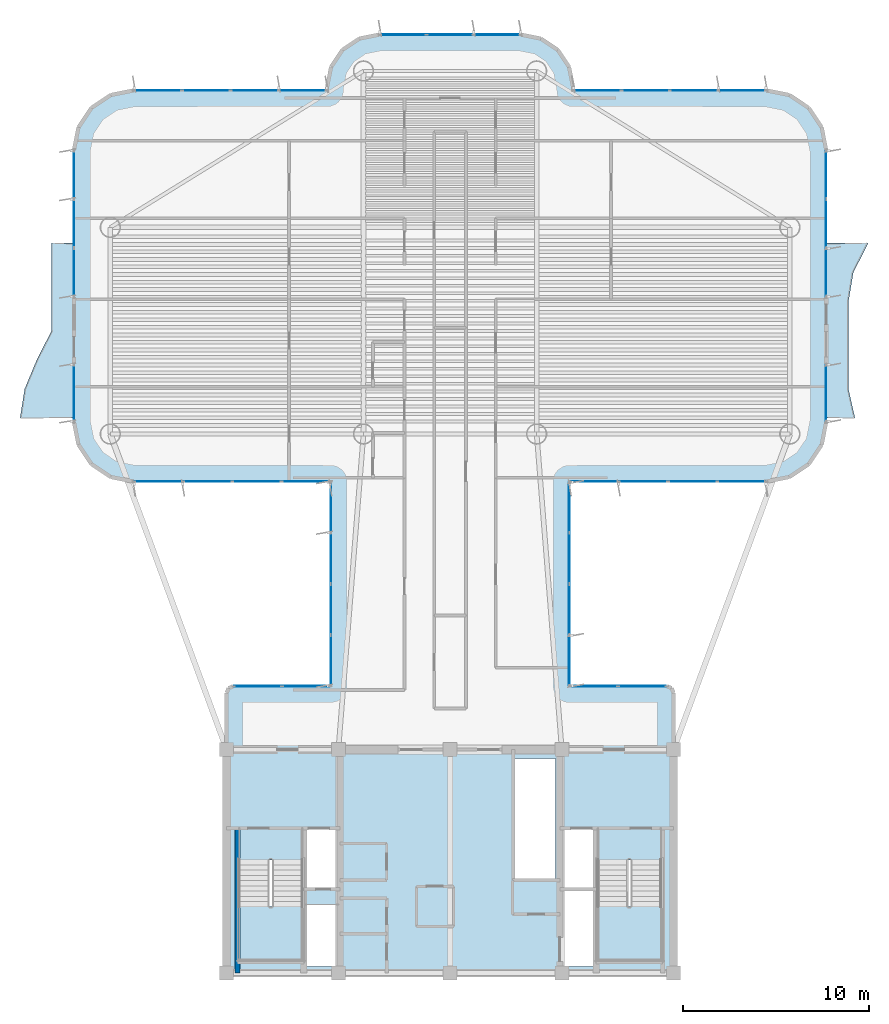
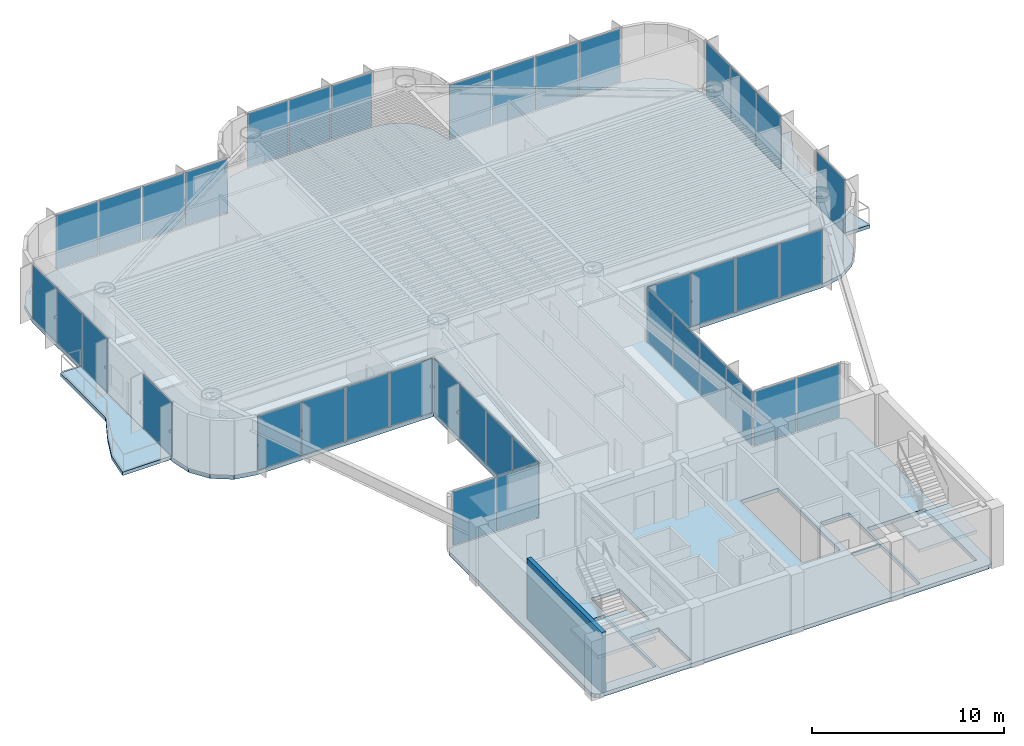
# One storey, part 8 of 14: 39 plates, 5 slabs, 1 wall, 15 elements without a shape of their own.
"""IFC4 building model written with IfcOpenShell, lengths in metres."""

from ifc_helpers import new_model, si_unit, direction, frame, frame_2d, origin, origin_2d, place, context, subcontext, project, spatial, polyline, rectangle, outline, extrude, source, transform, mapped, material, layer, layer_set, type_object, element, aggregate, save


model = new_model("IFC4")

# Units and contexts
model_context = context("Model", 3, precision=1e-05, world=origin(), true_north=direction((0.0, 1.0)))
body_context = subcontext(model_context, "Body", "Model", "MODEL_VIEW")
ifc_project = project(units=[si_unit("LENGTHUNIT", "METRE"), si_unit("AREAUNIT", "SQUARE_METRE"), si_unit("VOLUMEUNIT", "CUBIC_METRE"), si_unit("PLANEANGLEUNIT", "RADIAN"), si_unit("MASSUNIT", "GRAM", prefix="KILO")], contexts=[model_context])

# Site, building, storey
site_placement = place(None, origin())
site = spatial("IfcSite", under=ifc_project, at=site_placement, CompositionType="ELEMENT")
building_placement = place(site_placement, origin())
building = spatial("IfcBuilding", under=site, at=building_placement, Name="Brelvock Crest Care Tower", CompositionType="ELEMENT")
storey_placement = place(building_placement, frame((0.0, 0.0, 194.219970703125)))
storey = spatial("IfcBuildingStorey", under=building, at=storey_placement, Name="L49", CompositionType="ELEMENT", Elevation=194.219970703125)

# Slabs
ifc_material_1 = material(Name="Concrete N50 (50 MPa)", Category="concrete")
ifc_layer_1 = layer(ifc_material_1, 0.22998046875, Name="SLB-FL4")
ifc_layer_set_1 = layer_set([ifc_layer_1], Name="Concrete N50 (50 MPa)")
slab_type_1 = type_object("IfcSlabType", Name="SLB-FL4", PredefinedType="FLOOR", material=ifc_layer_set_1)
slab_1_placement = place(storey_placement, frame((0.0, 0.0, -0.25)))
element("IfcSlab", 1, at=slab_1_placement, inside=storey, type_object=slab_type_1, Name="L49 Main Structural Slab", PredefinedType="FLOOR", context=body_context, shape_type="SweptSolid", body=[
    extrude(outline(polyline([(47.64990234375, 21.39990234375), (42.39990234375, 21.39990234375), (42.39990234375, 32.39990234375), (53.0, 32.39990234375), (54.224609375, 32.6435546875), (55.2626953125, 33.33740234375), (55.956298828125, 34.37548828125), (56.199951171875, 35.60009765625), (56.199951171875, 50.199951171875), (55.956298828125, 51.424560546875), (55.2626953125, 52.462646484375), (54.224609375, 53.156494140625), (53.0, 53.39990234375), (42.60009765625, 53.39990234375), (42.60009765625, 53.60009765625), (42.386962890625, 54.67138671875), (41.77978515625, 55.579833984375), (40.87158203125, 56.18701171875), (39.800048828125, 56.39990234375), (32.199951171875, 56.39990234375), (31.12841796875, 56.18701171875), (30.22021484375, 55.579833984375), (29.613037109375, 54.67138671875), (29.39990234375, 53.60009765625), (29.39990234375, 53.39990234375), (19.0, 53.39990234375), (17.775390625, 53.156494140625), (16.7373046875, 52.462646484375), (16.043701171875, 51.424560546875), (15.800048828125, 50.199951171875), (15.800048828125, 35.60009765625), (16.043701171875, 34.37548828125), (16.7373046875, 33.33740234375), (17.775390625, 32.6435546875), (19.0, 32.39990234375), (29.60009765625, 32.39990234375), (29.60009765625, 21.39990234375), (24.35009765625, 21.39990234375), (24.1025390625, 21.297607421875), (24.0, 21.050048828125), (24.0, 6.35009765625), (24.1025390625, 6.1025390625), (24.35009765625, 6.0), (47.64990234375, 6.0), (47.8974609375, 6.1025390625), (48.0, 6.35009765625), (48.0, 21.050048828125), (47.8974609375, 21.297607421875), (47.64990234375, 21.39990234375)]), holes=[polyline([(28.239990234375, 10.580078125), (29.97998046875, 10.580078125), (29.97998046875, 13.739990234375), (28.239990234375, 13.739990234375), (28.239990234375, 10.580078125)]), polyline([(42.02001953125, 10.580078125), (43.760009765625, 10.580078125), (43.760009765625, 13.739990234375), (42.02001953125, 13.739990234375), (42.02001953125, 10.580078125)]), polyline([(28.239990234375, 6.340087890625), (29.97998046875, 6.340087890625), (29.97998046875, 9.64990234375), (28.239990234375, 9.64990234375), (28.239990234375, 6.340087890625)]), polyline([(24.6298828125, 12.080078125), (24.6298828125, 6.699951171875), (28.110107421875, 6.699951171875), (28.110107421875, 12.080078125), (24.6298828125, 12.080078125)]), polyline([(43.889892578125, 12.080078125), (43.889892578125, 6.699951171875), (47.3701171875, 6.699951171875), (47.3701171875, 12.080078125), (43.889892578125, 12.080078125)]), polyline([(42.02001953125, 6.340087890625), (43.760009765625, 6.340087890625), (43.760009765625, 10.5), (42.02001953125, 10.5), (42.02001953125, 6.340087890625)]), polyline([(39.429931640625, 11.030029296875), (41.669921875, 11.030029296875), (41.669921875, 17.52001953125), (39.429931640625, 17.52001953125), (39.429931640625, 11.030029296875)])]), origin(), (0.0, 0.0, 1.0), 0.25),
])
ifc_layer_2 = layer(ifc_material_1, 0.219970703125, Name="SLB-WB1")
ifc_layer_set_2 = layer_set([ifc_layer_2], Name="Concrete N50 (50 MPa)")
slab_type_2 = type_object("IfcSlabType", Name="SLB-WB1", PredefinedType="FLOOR", material=ifc_layer_set_2)
slab_2_placement = place(storey_placement, frame((0.0, 0.0, -0.219970703125)))
element("IfcSlab", 2, at=slab_2_placement, inside=storey, type_object=slab_type_2, Name="L49 W Sinusoidal Wave Balcony Slab", PredefinedType="FLOOR", context=body_context, shape_type="SweptSolid", body=[
    extrude(outline(polyline([(15.800048828125, 45.199951171875), (14.60009765625, 45.199951171875), (14.60009765625, 43.63330078125), (14.60009765625, 42.066650390625), (14.60009765625, 40.5), (13.79931640625, 38.933349609375), (13.1474609375, 37.36669921875), (12.89990234375, 35.800048828125), (15.800048828125, 35.800048828125), (15.800048828125, 45.199951171875)])), origin(), (0.0, 0.0, 1.0), 0.219970703125),
])
slab_3_placement = place(storey_placement, frame((0.0, 0.0, -0.219970703125)))
element("IfcSlab", 3, at=slab_3_placement, inside=storey, type_object=slab_type_2, Name="L49 E Sinusoidal Wave Balcony Slab", PredefinedType="FLOOR", context=body_context, shape_type="SweptSolid", body=[
    extrude(outline(polyline([(56.199951171875, 35.800048828125), (57.75, 35.800048828125), (57.39990234375, 37.36669921875), (57.39990234375, 38.933349609375), (57.39990234375, 40.5), (57.39990234375, 42.066650390625), (57.66162109375, 43.63330078125), (58.455322265625, 45.199951171875), (56.199951171875, 45.199951171875), (56.199951171875, 35.800048828125)])), origin(), (0.0, 0.0, 1.0), 0.219970703125),
])

# Stair, slab
ifc_material_2 = material(Name="Concrete N40 (40 MPa)", Category="concrete")
stair_type = type_object("IfcStairType", Name="ST-CORE1", PredefinedType="HALF_TURN_STAIR", material=ifc_material_2)
stair_1_placement = place(storey_placement, origin())
stair_1 = element("IfcStair", 4, at=stair_1_placement, inside=storey, type_object=stair_type, Name="L49 Fire-Isolated Core Stair ST-1", PredefinedType="HALF_TURN_STAIR")
ifc_layer_3 = layer(ifc_material_2, 0.199951171875, Name="STL-1")
ifc_layer_set_3 = layer_set([ifc_layer_3], Name="Concrete N40 (40 MPa)")
slab_type_3 = type_object("IfcSlabType", Name="STL-1", PredefinedType="LANDING", material=ifc_layer_set_3)
slab_4_placement = place(storey_placement, frame((0.0, 0.0, 1.68994140625)))
slab_4 = element("IfcSlab", 5, at=slab_4_placement, type_object=slab_type_3, Name="ST-1 landing 1", PredefinedType="LANDING", context=body_context, shape_type="SweptSolid", body=[
    extrude(outline(polyline([(24.6298828125, 9.56005859375), (24.6298828125, 6.699951171875), (28.110107421875, 6.699951171875), (28.110107421875, 9.56005859375), (24.6298828125, 9.56005859375)])), origin(), (0.0, 0.0, 1.0), 0.2001953125),
])
aggregate(stair_1, [slab_4])

stair_2_placement = place(storey_placement, origin())
stair_2 = element("IfcStair", 6, at=stair_2_placement, inside=storey, type_object=stair_type, Name="L49 Fire-Isolated Core Stair ST-2", PredefinedType="HALF_TURN_STAIR")
slab_5_placement = place(storey_placement, frame((0.0, 0.0, 1.68994140625)))
slab_5 = element("IfcSlab", 7, at=slab_5_placement, type_object=slab_type_3, Name="ST-2 landing 1", PredefinedType="LANDING", context=body_context, shape_type="SweptSolid", body=[
    extrude(outline(polyline([(43.889892578125, 9.56005859375), (43.889892578125, 6.699951171875), (47.3701171875, 6.699951171875), (47.3701171875, 9.56005859375), (43.889892578125, 9.56005859375)])), origin(), (0.0, 0.0, 1.0), 0.2001953125),
])
aggregate(stair_2, [slab_5])

# Curtain wall, plates
ifc_material_3 = material(Name="Dark Glass Double Glazed Low-E", Category="glass")
ifc_layer_4 = layer(ifc_material_3, 0.22509765625, Name="CWS-4")
ifc_layer_set_4 = layer_set([ifc_layer_4], Name="Dark Glass Double Glazed Low-E")
curtain_wall_type = type_object("IfcCurtainWallType", Name="CWS-4", PredefinedType="NOTDEFINED", material=ifc_layer_set_4)
curtain_wall_1_placement = place(storey_placement, origin())
curtain_wall_1 = element("IfcCurtainWall", 8, at=curtain_wall_1_placement, inside=storey, type_object=curtain_wall_type, Name="L49 Curtain Wall E10", PredefinedType="NOTDEFINED")
ifc_layer_5 = layer(ifc_material_3, 0.0380859375, Name="CWP-V2")
ifc_layer_set_5 = layer_set([ifc_layer_5], Name="Dark Glass Double Glazed Low-E")
plate_type = type_object("IfcPlateType", Name="CWP-V2", PredefinedType="CURTAIN_PANEL", material=ifc_layer_set_5)
shared_shape_1 = source(origin(), body_context, "Body", "SweptSolid", [
    extrude(rectangle(XDim=2.534912109375, YDim=0.035888671875, at=origin_2d()), origin(), (0.0, 0.0, 1.0), 3.409912109375),
])
plate_1_placement = place(storey_placement, frame((25.677490234375, 21.39990234375, 0.06005859375), z_axis=(0.0, 0.0, 1.0), x_axis=(1.0, 0.0, 0.0)))
plate_1 = element("IfcPlate", 9, at=plate_1_placement, type_object=plate_type, Name="CW-4 panel 1.1", PredefinedType="CURTAIN_PANEL", context=body_context, shape_type="MappedRepresentation", body=[
    mapped(shared_shape_1, transform((0.0, 0.0, 0.0), x_axis=(1.0, 0.0, 0.0), y_axis=(0.0, 1.0, 0.0), z_axis=(0.0, 0.0, 1.0), scale=1.0)),
])
plate_2_placement = place(storey_placement, frame((28.2724609375, 21.39990234375, 0.06005859375), z_axis=(0.0, 0.0, 1.0), x_axis=(1.0, 0.0, 0.0)))
plate_2 = element("IfcPlate", 10, at=plate_2_placement, type_object=plate_type, Name="CW-4 panel 2.1", PredefinedType="CURTAIN_PANEL", context=body_context, shape_type="MappedRepresentation", body=[
    mapped(shared_shape_1, transform((0.0, 0.0, 0.0), x_axis=(1.0, 0.0, 0.0), y_axis=(0.0, 1.0, 0.0), z_axis=(0.0, 0.0, 1.0), scale=1.0)),
])
aggregate(curtain_wall_1, [plate_1, plate_2])

curtain_wall_2_placement = place(storey_placement, origin())
curtain_wall_2 = element("IfcCurtainWall", 11, at=curtain_wall_2_placement, inside=storey, type_object=curtain_wall_type, Name="L49 Curtain Wall E46", PredefinedType="NOTDEFINED")
plate_3_placement = place(storey_placement, frame((43.7275390625, 21.39990234375, 0.06005859375), z_axis=(0.0, 0.0, 1.0), x_axis=(1.0, 0.0, 0.0)))
plate_3 = element("IfcPlate", 12, at=plate_3_placement, type_object=plate_type, Name="CW-4 panel 1.1", PredefinedType="CURTAIN_PANEL", context=body_context, shape_type="MappedRepresentation", body=[
    mapped(shared_shape_1, transform((0.0, 0.0, 0.0), x_axis=(1.0, 0.0, 0.0), y_axis=(0.0, 1.0, 0.0), z_axis=(0.0, 0.0, 1.0), scale=1.0)),
])
plate_4_placement = place(storey_placement, frame((46.322509765625, 21.39990234375, 0.06005859375), z_axis=(0.0, 0.0, 1.0), x_axis=(1.0, 0.0, 0.0)))
plate_4 = element("IfcPlate", 13, at=plate_4_placement, type_object=plate_type, Name="CW-4 panel 2.1", PredefinedType="CURTAIN_PANEL", context=body_context, shape_type="MappedRepresentation", body=[
    mapped(shared_shape_1, transform((0.0, 0.0, 0.0), x_axis=(1.0, 0.0, 0.0), y_axis=(0.0, 1.0, 0.0), z_axis=(0.0, 0.0, 1.0), scale=1.0)),
])
aggregate(curtain_wall_2, [plate_3, plate_4])

curtain_wall_3_placement = place(storey_placement, origin())
curtain_wall_3 = element("IfcCurtainWall", 14, at=curtain_wall_3_placement, inside=storey, type_object=curtain_wall_type, Name="L49 Curtain Wall E11", PredefinedType="NOTDEFINED")
shared_shape_2 = source(origin(), body_context, "Body", "SweptSolid", [
    extrude(rectangle(XDim=2.659912109375, YDim=0.035888671875, at=origin_2d()), origin(), (0.0, 0.0, 1.0), 3.409912109375),
])
plate_5_placement = place(storey_placement, frame((29.60009765625, 22.7900390625, 0.06005859375), z_axis=(0.0, 0.0, 1.0), x_axis=(0.0, 1.0, 0.0)))
plate_5 = element("IfcPlate", 15, at=plate_5_placement, type_object=plate_type, Name="CW-4 panel 1.1", PredefinedType="CURTAIN_PANEL", context=body_context, shape_type="MappedRepresentation", body=[
    mapped(shared_shape_2, transform((0.0, 0.0, 0.0), x_axis=(1.0, 0.0, 0.0), y_axis=(0.0, 1.0, 0.0), z_axis=(0.0, 0.0, 1.0), scale=1.0)),
])
plate_6_placement = place(storey_placement, frame((29.60009765625, 31.010009765625, 0.06005859375), z_axis=(0.0, 0.0, 1.0), x_axis=(0.0, 1.0, 0.0)))
plate_6 = element("IfcPlate", 16, at=plate_6_placement, type_object=plate_type, Name="CW-4 panel 4.1", PredefinedType="CURTAIN_PANEL", context=body_context, shape_type="MappedRepresentation", body=[
    mapped(shared_shape_2, transform((0.0, 0.0, 0.0), x_axis=(1.0, 0.0, 0.0), y_axis=(0.0, 1.0, 0.0), z_axis=(0.0, 0.0, 1.0), scale=1.0)),
])

curtain_wall_4_placement = place(storey_placement, origin())
curtain_wall_4 = element("IfcCurtainWall", 17, at=curtain_wall_4_placement, inside=storey, type_object=curtain_wall_type, Name="L49 Curtain Wall E45", PredefinedType="NOTDEFINED")
plate_7_placement = place(storey_placement, frame((42.39990234375, 31.010009765625, 0.06005859375), z_axis=(0.0, 0.0, 1.0), x_axis=(0.0, -1.0, 0.0)))
plate_7 = element("IfcPlate", 18, at=plate_7_placement, type_object=plate_type, Name="CW-4 panel 1.1", PredefinedType="CURTAIN_PANEL", context=body_context, shape_type="MappedRepresentation", body=[
    mapped(shared_shape_2, transform((0.0, 0.0, 0.0), x_axis=(1.0, 0.0, 0.0), y_axis=(0.0, 1.0, 0.0), z_axis=(0.0, 0.0, 1.0), scale=1.0)),
])
plate_8_placement = place(storey_placement, frame((42.39990234375, 22.7900390625, 0.06005859375), z_axis=(0.0, 0.0, 1.0), x_axis=(0.0, -1.0, 0.0)))
plate_8 = element("IfcPlate", 19, at=plate_8_placement, type_object=plate_type, Name="CW-4 panel 4.1", PredefinedType="CURTAIN_PANEL", context=body_context, shape_type="MappedRepresentation", body=[
    mapped(shared_shape_2, transform((0.0, 0.0, 0.0), x_axis=(1.0, 0.0, 0.0), y_axis=(0.0, 1.0, 0.0), z_axis=(0.0, 0.0, 1.0), scale=1.0)),
])

# Plate
shared_shape_3 = source(origin(), body_context, "Body", "SweptSolid", [
    extrude(rectangle(XDim=2.68994140625, YDim=0.035888671875, at=origin_2d()), origin(), (0.0, 0.0, 1.0), 3.409912109375),
])
plate_9_placement = place(storey_placement, frame((29.60009765625, 25.52490234375, 0.06005859375), z_axis=(0.0, 0.0, 1.0), x_axis=(0.0, 1.0, 0.0)))
plate_9 = element("IfcPlate", 20, at=plate_9_placement, type_object=plate_type, Name="CW-4 panel 2.1", PredefinedType="CURTAIN_PANEL", context=body_context, shape_type="MappedRepresentation", body=[
    mapped(shared_shape_3, transform((0.0, 0.0, 0.0), x_axis=(1.0, 0.0, 0.0), y_axis=(0.0, 1.0, 0.0), z_axis=(0.0, 0.0, 1.0), scale=1.0)),
])

plate_10_placement = place(storey_placement, frame((29.60009765625, 28.27490234375, 0.06005859375), z_axis=(0.0, 0.0, 1.0), x_axis=(0.0, 1.0, 0.0)))
plate_10 = element("IfcPlate", 21, at=plate_10_placement, type_object=plate_type, Name="CW-4 panel 3.1", PredefinedType="CURTAIN_PANEL", context=body_context, shape_type="MappedRepresentation", body=[
    mapped(shared_shape_3, transform((0.0, 0.0, 0.0), x_axis=(1.0, 0.0, 0.0), y_axis=(0.0, 1.0, 0.0), z_axis=(0.0, 0.0, 1.0), scale=1.0)),
])

aggregate(curtain_wall_3, [plate_5, plate_9, plate_10, plate_6])

plate_11_placement = place(storey_placement, frame((42.39990234375, 28.27490234375, 0.06005859375), z_axis=(0.0, 0.0, 1.0), x_axis=(0.0, -1.0, 0.0)))
plate_11 = element("IfcPlate", 22, at=plate_11_placement, type_object=plate_type, Name="CW-4 panel 2.1", PredefinedType="CURTAIN_PANEL", context=body_context, shape_type="MappedRepresentation", body=[
    mapped(shared_shape_3, transform((0.0, 0.0, 0.0), x_axis=(1.0, 0.0, 0.0), y_axis=(0.0, 1.0, 0.0), z_axis=(0.0, 0.0, 1.0), scale=1.0)),
])

plate_12_placement = place(storey_placement, frame((42.39990234375, 25.52490234375, 0.06005859375), z_axis=(0.0, 0.0, 1.0), x_axis=(0.0, -1.0, 0.0)))
plate_12 = element("IfcPlate", 23, at=plate_12_placement, type_object=plate_type, Name="CW-4 panel 3.1", PredefinedType="CURTAIN_PANEL", context=body_context, shape_type="MappedRepresentation", body=[
    mapped(shared_shape_3, transform((0.0, 0.0, 0.0), x_axis=(1.0, 0.0, 0.0), y_axis=(0.0, 1.0, 0.0), z_axis=(0.0, 0.0, 1.0), scale=1.0)),
])

aggregate(curtain_wall_4, [plate_7, plate_11, plate_12, plate_8])

# Curtain wall, plates
curtain_wall_5_placement = place(storey_placement, origin())
curtain_wall_5 = element("IfcCurtainWall", 24, at=curtain_wall_5_placement, inside=storey, type_object=curtain_wall_type, Name="L49 Curtain Wall E12", PredefinedType="NOTDEFINED")
shared_shape_4 = source(origin(), body_context, "Body", "SweptSolid", [
    extrude(rectangle(XDim=2.56005859375, YDim=0.035888671875, at=origin_2d()), origin(), (0.0, 0.0, 1.0), 3.409912109375),
])
plate_13_placement = place(storey_placement, frame((28.260009765625, 32.39990234375, 0.06005859375), z_axis=(0.0, 0.0, 1.0), x_axis=(-1.0, 0.0, 0.0)))
plate_13 = element("IfcPlate", 25, at=plate_13_placement, type_object=plate_type, Name="CW-4 panel 1.1", PredefinedType="CURTAIN_PANEL", context=body_context, shape_type="MappedRepresentation", body=[
    mapped(shared_shape_4, transform((0.0, 0.0, 0.0), x_axis=(1.0, 0.0, 0.0), y_axis=(0.0, 1.0, 0.0), z_axis=(0.0, 0.0, 1.0), scale=1.0)),
])
plate_14_placement = place(storey_placement, frame((20.340087890625, 32.39990234375, 0.06005859375), z_axis=(0.0, 0.0, 1.0), x_axis=(-1.0, 0.0, 0.0)))
plate_14 = element("IfcPlate", 26, at=plate_14_placement, type_object=plate_type, Name="CW-4 panel 4.1", PredefinedType="CURTAIN_PANEL", context=body_context, shape_type="MappedRepresentation", body=[
    mapped(shared_shape_4, transform((0.0, 0.0, 0.0), x_axis=(1.0, 0.0, 0.0), y_axis=(0.0, 1.0, 0.0), z_axis=(0.0, 0.0, 1.0), scale=1.0)),
])

curtain_wall_6_placement = place(storey_placement, origin())
curtain_wall_6 = element("IfcCurtainWall", 27, at=curtain_wall_6_placement, inside=storey, type_object=curtain_wall_type, Name="L49 Curtain Wall E44", PredefinedType="NOTDEFINED")
plate_15_placement = place(storey_placement, frame((51.659912109375, 32.39990234375, 0.06005859375), z_axis=(0.0, 0.0, 1.0), x_axis=(-1.0, 0.0, 0.0)))
plate_15 = element("IfcPlate", 28, at=plate_15_placement, type_object=plate_type, Name="CW-4 panel 1.1", PredefinedType="CURTAIN_PANEL", context=body_context, shape_type="MappedRepresentation", body=[
    mapped(shared_shape_4, transform((0.0, 0.0, 0.0), x_axis=(1.0, 0.0, 0.0), y_axis=(0.0, 1.0, 0.0), z_axis=(0.0, 0.0, 1.0), scale=1.0)),
])
plate_16_placement = place(storey_placement, frame((43.739990234375, 32.39990234375, 0.06005859375), z_axis=(0.0, 0.0, 1.0), x_axis=(-1.0, 0.0, 0.0)))
plate_16 = element("IfcPlate", 29, at=plate_16_placement, type_object=plate_type, Name="CW-4 panel 4.1", PredefinedType="CURTAIN_PANEL", context=body_context, shape_type="MappedRepresentation", body=[
    mapped(shared_shape_4, transform((0.0, 0.0, 0.0), x_axis=(1.0, 0.0, 0.0), y_axis=(0.0, 1.0, 0.0), z_axis=(0.0, 0.0, 1.0), scale=1.0)),
])

# Plate
shared_shape_5 = source(origin(), body_context, "Body", "SweptSolid", [
    extrude(rectangle(XDim=2.590087890625, YDim=0.035888671875, at=origin_2d()), origin(), (0.0, 0.0, 1.0), 3.409912109375),
])
plate_17_placement = place(storey_placement, frame((25.625, 32.39990234375, 0.06005859375), z_axis=(0.0, 0.0, 1.0), x_axis=(-1.0, 0.0, 0.0)))
plate_17 = element("IfcPlate", 30, at=plate_17_placement, type_object=plate_type, Name="CW-4 panel 2.1", PredefinedType="CURTAIN_PANEL", context=body_context, shape_type="MappedRepresentation", body=[
    mapped(shared_shape_5, transform((0.0, 0.0, 0.0), x_axis=(1.0, 0.0, 0.0), y_axis=(0.0, 1.0, 0.0), z_axis=(0.0, 0.0, 1.0), scale=1.0)),
])

plate_18_placement = place(storey_placement, frame((22.97509765625, 32.39990234375, 0.06005859375), z_axis=(0.0, 0.0, 1.0), x_axis=(-1.0, 0.0, 0.0)))
plate_18 = element("IfcPlate", 31, at=plate_18_placement, type_object=plate_type, Name="CW-4 panel 3.1", PredefinedType="CURTAIN_PANEL", context=body_context, shape_type="MappedRepresentation", body=[
    mapped(shared_shape_5, transform((0.0, 0.0, 0.0), x_axis=(1.0, 0.0, 0.0), y_axis=(0.0, 1.0, 0.0), z_axis=(0.0, 0.0, 1.0), scale=1.0)),
])

aggregate(curtain_wall_5, [plate_13, plate_17, plate_18, plate_14])

plate_19_placement = place(storey_placement, frame((49.02490234375, 32.39990234375, 0.06005859375), z_axis=(0.0, 0.0, 1.0), x_axis=(-1.0, 0.0, 0.0)))
plate_19 = element("IfcPlate", 32, at=plate_19_placement, type_object=plate_type, Name="CW-4 panel 2.1", PredefinedType="CURTAIN_PANEL", context=body_context, shape_type="MappedRepresentation", body=[
    mapped(shared_shape_5, transform((0.0, 0.0, 0.0), x_axis=(1.0, 0.0, 0.0), y_axis=(0.0, 1.0, 0.0), z_axis=(0.0, 0.0, 1.0), scale=1.0)),
])

plate_20_placement = place(storey_placement, frame((46.375, 32.39990234375, 0.06005859375), z_axis=(0.0, 0.0, 1.0), x_axis=(-1.0, 0.0, 0.0)))
plate_20 = element("IfcPlate", 33, at=plate_20_placement, type_object=plate_type, Name="CW-4 panel 3.1", PredefinedType="CURTAIN_PANEL", context=body_context, shape_type="MappedRepresentation", body=[
    mapped(shared_shape_5, transform((0.0, 0.0, 0.0), x_axis=(1.0, 0.0, 0.0), y_axis=(0.0, 1.0, 0.0), z_axis=(0.0, 0.0, 1.0), scale=1.0)),
])

aggregate(curtain_wall_6, [plate_15, plate_19, plate_20, plate_16])

# Curtain wall, plates
curtain_wall_7_placement = place(storey_placement, origin())
curtain_wall_7 = element("IfcCurtainWall", 34, at=curtain_wall_7_placement, inside=storey, type_object=curtain_wall_type, Name="L49 Curtain Wall E22", PredefinedType="NOTDEFINED")
shared_shape_6 = source(origin(), body_context, "Body", "SweptSolid", [
    extrude(rectangle(XDim=2.510009765625, YDim=0.035888671875, at=origin_2d()), origin(), (0.0, 0.0, 1.0), 3.409912109375),
])
plate_21_placement = place(storey_placement, frame((20.31494140625, 53.39990234375, 0.06005859375), z_axis=(0.0, 0.0, 1.0), x_axis=(1.0, 0.0, 0.0)))
plate_21 = element("IfcPlate", 35, at=plate_21_placement, type_object=plate_type, Name="CW-4 panel 1.1", PredefinedType="CURTAIN_PANEL", context=body_context, shape_type="MappedRepresentation", body=[
    mapped(shared_shape_6, transform((0.0, 0.0, 0.0), x_axis=(1.0, 0.0, 0.0), y_axis=(0.0, 1.0, 0.0), z_axis=(0.0, 0.0, 1.0), scale=1.0)),
])
plate_22_placement = place(storey_placement, frame((28.0849609375, 53.39990234375, 0.06005859375), z_axis=(0.0, 0.0, 1.0), x_axis=(1.0, 0.0, 0.0)))
plate_22 = element("IfcPlate", 36, at=plate_22_placement, type_object=plate_type, Name="CW-4 panel 4.1", PredefinedType="CURTAIN_PANEL", context=body_context, shape_type="MappedRepresentation", body=[
    mapped(shared_shape_6, transform((0.0, 0.0, 0.0), x_axis=(1.0, 0.0, 0.0), y_axis=(0.0, 1.0, 0.0), z_axis=(0.0, 0.0, 1.0), scale=1.0)),
])

curtain_wall_8_placement = place(storey_placement, origin())
curtain_wall_8 = element("IfcCurtainWall", 37, at=curtain_wall_8_placement, inside=storey, type_object=curtain_wall_type, Name="L49 Curtain Wall E34", PredefinedType="NOTDEFINED")
plate_23_placement = place(storey_placement, frame((43.9150390625, 53.39990234375, 0.06005859375), z_axis=(0.0, 0.0, 1.0), x_axis=(1.0, 0.0, 0.0)))
plate_23 = element("IfcPlate", 38, at=plate_23_placement, type_object=plate_type, Name="CW-4 panel 1.1", PredefinedType="CURTAIN_PANEL", context=body_context, shape_type="MappedRepresentation", body=[
    mapped(shared_shape_6, transform((0.0, 0.0, 0.0), x_axis=(1.0, 0.0, 0.0), y_axis=(0.0, 1.0, 0.0), z_axis=(0.0, 0.0, 1.0), scale=1.0)),
])
plate_24_placement = place(storey_placement, frame((51.68505859375, 53.39990234375, 0.06005859375), z_axis=(0.0, 0.0, 1.0), x_axis=(1.0, 0.0, 0.0)))
plate_24 = element("IfcPlate", 39, at=plate_24_placement, type_object=plate_type, Name="CW-4 panel 4.1", PredefinedType="CURTAIN_PANEL", context=body_context, shape_type="MappedRepresentation", body=[
    mapped(shared_shape_6, transform((0.0, 0.0, 0.0), x_axis=(1.0, 0.0, 0.0), y_axis=(0.0, 1.0, 0.0), z_axis=(0.0, 0.0, 1.0), scale=1.0)),
])

# Plate
shared_shape_7 = source(origin(), body_context, "Body", "SweptSolid", [
    extrude(rectangle(XDim=2.5400390625, YDim=0.035888671875, at=origin_2d()), origin(), (0.0, 0.0, 1.0), 3.409912109375),
])
plate_25_placement = place(storey_placement, frame((22.89990234375, 53.39990234375, 0.06005859375), z_axis=(0.0, 0.0, 1.0), x_axis=(1.0, 0.0, 0.0)))
plate_25 = element("IfcPlate", 40, at=plate_25_placement, type_object=plate_type, Name="CW-4 panel 2.1", PredefinedType="CURTAIN_PANEL", context=body_context, shape_type="MappedRepresentation", body=[
    mapped(shared_shape_7, transform((0.0, 0.0, 0.0), x_axis=(1.0, 0.0, 0.0), y_axis=(0.0, 1.0, 0.0), z_axis=(0.0, 0.0, 1.0), scale=1.0)),
])

plate_26_placement = place(storey_placement, frame((25.5, 53.39990234375, 0.06005859375), z_axis=(0.0, 0.0, 1.0), x_axis=(1.0, 0.0, 0.0)))
plate_26 = element("IfcPlate", 41, at=plate_26_placement, type_object=plate_type, Name="CW-4 panel 3.1", PredefinedType="CURTAIN_PANEL", context=body_context, shape_type="MappedRepresentation", body=[
    mapped(shared_shape_7, transform((0.0, 0.0, 0.0), x_axis=(1.0, 0.0, 0.0), y_axis=(0.0, 1.0, 0.0), z_axis=(0.0, 0.0, 1.0), scale=1.0)),
])

aggregate(curtain_wall_7, [plate_21, plate_25, plate_26, plate_22])

plate_27_placement = place(storey_placement, frame((46.5, 53.39990234375, 0.06005859375), z_axis=(0.0, 0.0, 1.0), x_axis=(1.0, 0.0, 0.0)))
plate_27 = element("IfcPlate", 42, at=plate_27_placement, type_object=plate_type, Name="CW-4 panel 2.1", PredefinedType="CURTAIN_PANEL", context=body_context, shape_type="MappedRepresentation", body=[
    mapped(shared_shape_7, transform((0.0, 0.0, 0.0), x_axis=(1.0, 0.0, 0.0), y_axis=(0.0, 1.0, 0.0), z_axis=(0.0, 0.0, 1.0), scale=1.0)),
])

plate_28_placement = place(storey_placement, frame((49.10009765625, 53.39990234375, 0.06005859375), z_axis=(0.0, 0.0, 1.0), x_axis=(1.0, 0.0, 0.0)))
plate_28 = element("IfcPlate", 43, at=plate_28_placement, type_object=plate_type, Name="CW-4 panel 3.1", PredefinedType="CURTAIN_PANEL", context=body_context, shape_type="MappedRepresentation", body=[
    mapped(shared_shape_7, transform((0.0, 0.0, 0.0), x_axis=(1.0, 0.0, 0.0), y_axis=(0.0, 1.0, 0.0), z_axis=(0.0, 0.0, 1.0), scale=1.0)),
])

aggregate(curtain_wall_8, [plate_23, plate_27, plate_28, plate_24])

# Curtain wall, plates
curtain_wall_9_placement = place(storey_placement, origin())
curtain_wall_9 = element("IfcCurtainWall", 44, at=curtain_wall_9_placement, inside=storey, type_object=curtain_wall_type, Name="L49 Curtain Wall E28", PredefinedType="NOTDEFINED")
shared_shape_8 = source(origin(), body_context, "Body", "SweptSolid", [
    extrude(rectangle(XDim=2.443359375, YDim=0.035888671875, at=origin_2d()), origin(), (0.0, 0.0, 1.0), 3.409912109375),
])
plate_29_placement = place(storey_placement, frame((33.481689453125, 56.39990234375, 0.06005859375), z_axis=(0.0, 0.0, 1.0), x_axis=(1.0, 0.0, 0.0)))
plate_29 = element("IfcPlate", 45, at=plate_29_placement, type_object=plate_type, Name="CW-4 panel 1.1", PredefinedType="CURTAIN_PANEL", context=body_context, shape_type="MappedRepresentation", body=[
    mapped(shared_shape_8, transform((0.0, 0.0, 0.0), x_axis=(1.0, 0.0, 0.0), y_axis=(0.0, 1.0, 0.0), z_axis=(0.0, 0.0, 1.0), scale=1.0)),
])
plate_30_placement = place(storey_placement, frame((38.518310546875, 56.39990234375, 0.06005859375), z_axis=(0.0, 0.0, 1.0), x_axis=(1.0, 0.0, 0.0)))
plate_30 = element("IfcPlate", 46, at=plate_30_placement, type_object=plate_type, Name="CW-4 panel 3.1", PredefinedType="CURTAIN_PANEL", context=body_context, shape_type="MappedRepresentation", body=[
    mapped(shared_shape_8, transform((0.0, 0.0, 0.0), x_axis=(1.0, 0.0, 0.0), y_axis=(0.0, 1.0, 0.0), z_axis=(0.0, 0.0, 1.0), scale=1.0)),
])
shared_shape_9 = source(origin(), body_context, "Body", "SweptSolid", [
    extrude(rectangle(XDim=2.473388671875, YDim=0.035888671875, at=origin_2d()), origin(), (0.0, 0.0, 1.0), 3.409912109375),
])
plate_31_placement = place(storey_placement, frame((36.0, 56.39990234375, 0.06005859375), z_axis=(0.0, 0.0, 1.0), x_axis=(1.0, 0.0, 0.0)))
plate_31 = element("IfcPlate", 47, at=plate_31_placement, type_object=plate_type, Name="CW-4 panel 2.1", PredefinedType="CURTAIN_PANEL", context=body_context, shape_type="MappedRepresentation", body=[
    mapped(shared_shape_9, transform((0.0, 0.0, 0.0), x_axis=(1.0, 0.0, 0.0), y_axis=(0.0, 1.0, 0.0), z_axis=(0.0, 0.0, 1.0), scale=1.0)),
])
aggregate(curtain_wall_9, [plate_29, plate_31, plate_30])

# Curtain wall, plate
curtain_wall_10_placement = place(storey_placement, origin())
curtain_wall_10 = element("IfcCurtainWall", 48, at=curtain_wall_10_placement, inside=storey, type_object=curtain_wall_type, Name="L49 Curtain Wall E17A", PredefinedType="NOTDEFINED")
shared_shape_10 = source(origin(), body_context, "Body", "SweptSolid", [
    extrude(rectangle(XDim=2.97998046875, YDim=0.035888671875, at=origin_2d()), origin(), (0.0, 0.0, 1.0), 3.409912109375),
])
plate_32_placement = place(storey_placement, frame((15.800048828125, 37.14990234375, 0.06005859375), z_axis=(0.0, 0.0, 1.0), x_axis=(0.0, 1.0, 0.0)))
plate_32 = element("IfcPlate", 49, at=plate_32_placement, type_object=plate_type, Name="CW-4 panel 1.1", PredefinedType="CURTAIN_PANEL", context=body_context, shape_type="MappedRepresentation", body=[
    mapped(shared_shape_10, transform((0.0, 0.0, 0.0), x_axis=(1.0, 0.0, 0.0), y_axis=(0.0, 1.0, 0.0), z_axis=(0.0, 0.0, 1.0), scale=1.0)),
])
aggregate(curtain_wall_10, [plate_32])

curtain_wall_11_placement = place(storey_placement, origin())
curtain_wall_11 = element("IfcCurtainWall", 50, at=curtain_wall_11_placement, inside=storey, type_object=curtain_wall_type, Name="L49 Curtain Wall E39B", PredefinedType="NOTDEFINED")
plate_33_placement = place(storey_placement, frame((56.199951171875, 37.14990234375, 0.06005859375), z_axis=(0.0, 0.0, 1.0), x_axis=(0.0, -1.0, 0.0)))
plate_33 = element("IfcPlate", 51, at=plate_33_placement, type_object=plate_type, Name="CW-4 panel 1.1", PredefinedType="CURTAIN_PANEL", context=body_context, shape_type="MappedRepresentation", body=[
    mapped(shared_shape_10, transform((0.0, 0.0, 0.0), x_axis=(1.0, 0.0, 0.0), y_axis=(0.0, 1.0, 0.0), z_axis=(0.0, 0.0, 1.0), scale=1.0)),
])
aggregate(curtain_wall_11, [plate_33])

# Curtain wall, plates
curtain_wall_12_placement = place(storey_placement, origin())
curtain_wall_12 = element("IfcCurtainWall", 52, at=curtain_wall_12_placement, inside=storey, type_object=curtain_wall_type, Name="L49 Curtain Wall E17B", PredefinedType="NOTDEFINED")
shared_shape_11 = source(origin(), body_context, "Body", "SweptSolid", [
    extrude(rectangle(XDim=2.543212890625, YDim=0.035888671875, at=origin_2d()), origin(), (0.0, 0.0, 1.0), 3.409912109375),
])
plate_34_placement = place(storey_placement, frame((15.800048828125, 43.631591796875, 0.06005859375), z_axis=(0.0, 0.0, 1.0), x_axis=(0.0, 1.0, 0.0)))
plate_34 = element("IfcPlate", 53, at=plate_34_placement, type_object=plate_type, Name="CW-4 panel 1.1", PredefinedType="CURTAIN_PANEL", context=body_context, shape_type="MappedRepresentation", body=[
    mapped(shared_shape_11, transform((0.0, 0.0, 0.0), x_axis=(1.0, 0.0, 0.0), y_axis=(0.0, 1.0, 0.0), z_axis=(0.0, 0.0, 1.0), scale=1.0)),
])
plate_35_placement = place(storey_placement, frame((15.800048828125, 48.868408203125, 0.06005859375), z_axis=(0.0, 0.0, 1.0), x_axis=(0.0, 1.0, 0.0)))
plate_35 = element("IfcPlate", 54, at=plate_35_placement, type_object=plate_type, Name="CW-4 panel 3.1", PredefinedType="CURTAIN_PANEL", context=body_context, shape_type="MappedRepresentation", body=[
    mapped(shared_shape_11, transform((0.0, 0.0, 0.0), x_axis=(1.0, 0.0, 0.0), y_axis=(0.0, 1.0, 0.0), z_axis=(0.0, 0.0, 1.0), scale=1.0)),
])

curtain_wall_13_placement = place(storey_placement, origin())
curtain_wall_13 = element("IfcCurtainWall", 55, at=curtain_wall_13_placement, inside=storey, type_object=curtain_wall_type, Name="L49 Curtain Wall E39A", PredefinedType="NOTDEFINED")
plate_36_placement = place(storey_placement, frame((56.199951171875, 48.868408203125, 0.06005859375), z_axis=(0.0, 0.0, 1.0), x_axis=(0.0, -1.0, 0.0)))
plate_36 = element("IfcPlate", 56, at=plate_36_placement, type_object=plate_type, Name="CW-4 panel 1.1", PredefinedType="CURTAIN_PANEL", context=body_context, shape_type="MappedRepresentation", body=[
    mapped(shared_shape_11, transform((0.0, 0.0, 0.0), x_axis=(1.0, 0.0, 0.0), y_axis=(0.0, 1.0, 0.0), z_axis=(0.0, 0.0, 1.0), scale=1.0)),
])
plate_37_placement = place(storey_placement, frame((56.199951171875, 43.631591796875, 0.06005859375), z_axis=(0.0, 0.0, 1.0), x_axis=(0.0, -1.0, 0.0)))
plate_37 = element("IfcPlate", 57, at=plate_37_placement, type_object=plate_type, Name="CW-4 panel 3.1", PredefinedType="CURTAIN_PANEL", context=body_context, shape_type="MappedRepresentation", body=[
    mapped(shared_shape_11, transform((0.0, 0.0, 0.0), x_axis=(1.0, 0.0, 0.0), y_axis=(0.0, 1.0, 0.0), z_axis=(0.0, 0.0, 1.0), scale=1.0)),
])

# Plate
shared_shape_12 = source(origin(), body_context, "Body", "SweptSolid", [
    extrude(rectangle(XDim=2.5732421875, YDim=0.035888671875, at=origin_2d()), origin(), (0.0, 0.0, 1.0), 3.409912109375),
])
plate_38_placement = place(storey_placement, frame((15.800048828125, 46.25, 0.06005859375), z_axis=(0.0, 0.0, 1.0), x_axis=(0.0, 1.0, 0.0)))
plate_38 = element("IfcPlate", 58, at=plate_38_placement, type_object=plate_type, Name="CW-4 panel 2.1", PredefinedType="CURTAIN_PANEL", context=body_context, shape_type="MappedRepresentation", body=[
    mapped(shared_shape_12, transform((0.0, 0.0, 0.0), x_axis=(1.0, 0.0, 0.0), y_axis=(0.0, 1.0, 0.0), z_axis=(0.0, 0.0, 1.0), scale=1.0)),
])

aggregate(curtain_wall_12, [plate_34, plate_38, plate_35])

plate_39_placement = place(storey_placement, frame((56.199951171875, 46.25, 0.06005859375), z_axis=(0.0, 0.0, 1.0), x_axis=(0.0, -1.0, 0.0)))
plate_39 = element("IfcPlate", 59, at=plate_39_placement, type_object=plate_type, Name="CW-4 panel 2.1", PredefinedType="CURTAIN_PANEL", context=body_context, shape_type="MappedRepresentation", body=[
    mapped(shared_shape_12, transform((0.0, 0.0, 0.0), x_axis=(1.0, 0.0, 0.0), y_axis=(0.0, 1.0, 0.0), z_axis=(0.0, 0.0, 1.0), scale=1.0)),
])

aggregate(curtain_wall_13, [plate_36, plate_39, plate_37])

# Wall
ifc_material_4 = material(Name="Concrete S80 (80 MPa)", Category="concrete")
ifc_layer_6 = layer(ifc_material_4, 0.25, Name="WL-CS6")
ifc_layer_set_6 = layer_set([ifc_layer_6], Name="Concrete S80 (80 MPa)")
wall_type = type_object("IfcWallType", Name="WL-CS6", PredefinedType="SHEAR", material=ifc_layer_set_6)
wall_placement = place(storey_placement, frame((24.580078125, 6.0, 0.0), z_axis=(0.0, 0.0, 1.0), x_axis=(0.0, 1.0, 0.0)))
element("IfcWall", 60, at=wall_placement, inside=storey, type_object=wall_type, Name="L49 Core Stair ST-1 West Shear Wall", PredefinedType="SHEAR", context=body_context, shape_type="SweptSolid", body=[
    extrude(rectangle(XDim=7.780029296875, YDim=0.25, at=frame_2d((3.89013671875, 0.0))), origin(), (0.0, 0.0, 1.0), 3.85009765625),
])

save(model, "model.ifc")
